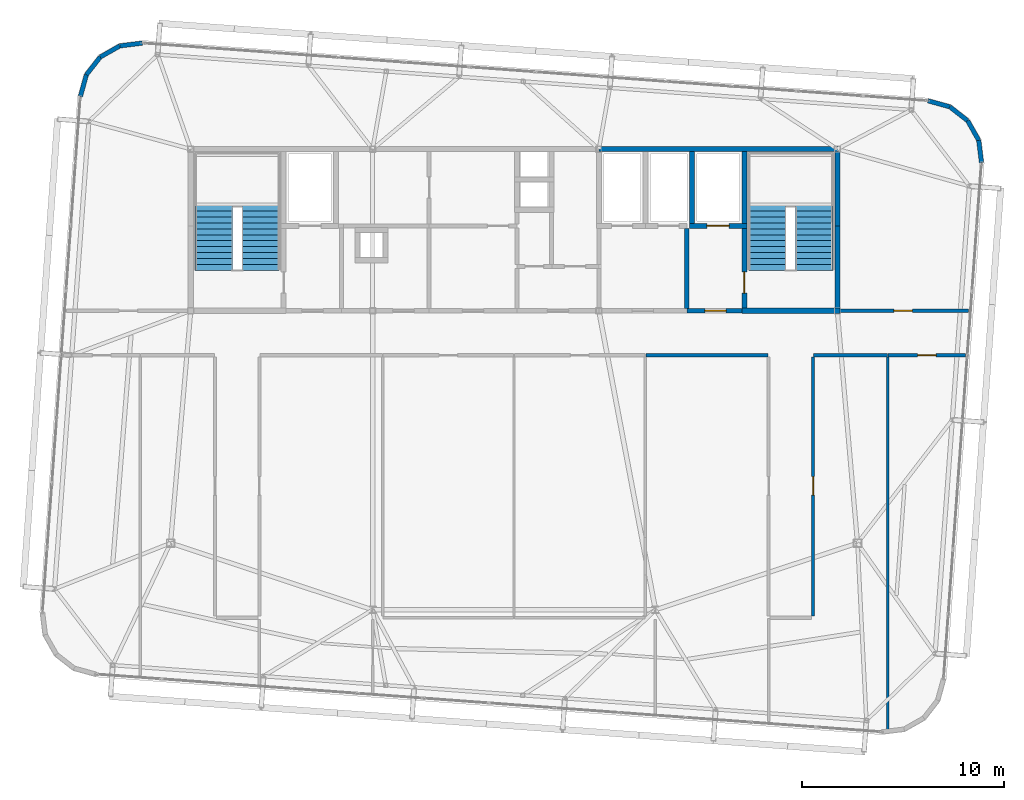
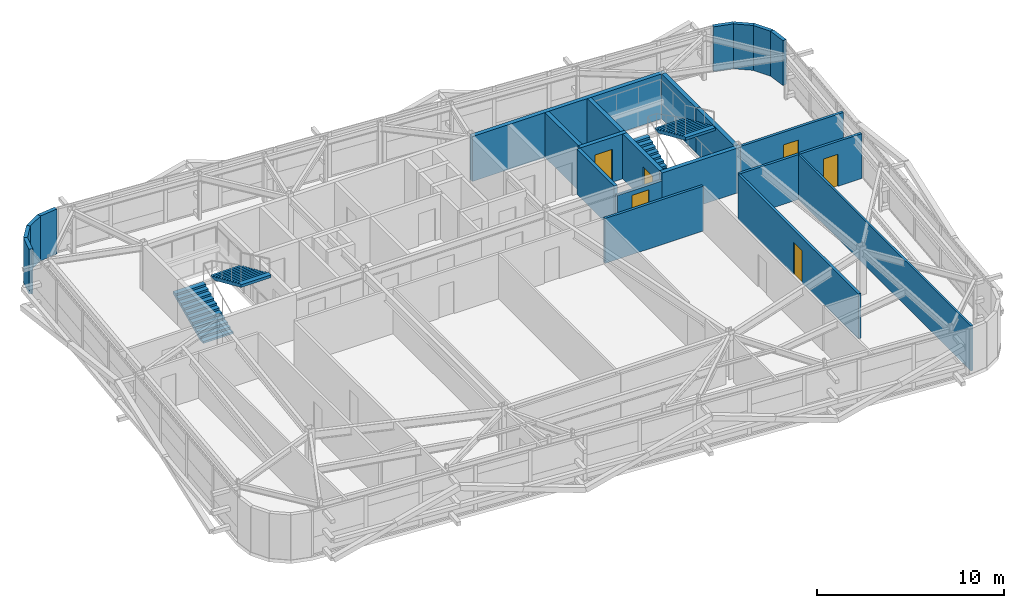
# One storey, part 40 of 42: 24 walls, 6 doors, 4 stair flights, 6 openings, 2 elements without a shape of their own.
"""IFC4 building model written with IfcOpenShell, lengths in metres."""

from ifc_helpers import new_model, si_unit, direction, frame, frame_2d, origin, place, context, subcontext, project, spatial, polyline, rectangle, outline, extrude, source, transform, mapped, material, layer, layer_set, type_object, element, fill, aggregate, save


model = new_model("IFC4")

# Units and contexts
model_context = context("Model", 3, precision=1e-05, world=origin(), true_north=direction((0.0, 1.0)))
body_context = subcontext(model_context, "Body", "Model", "MODEL_VIEW")
ifc_project = project(units=[si_unit("LENGTHUNIT", "METRE"), si_unit("AREAUNIT", "SQUARE_METRE"), si_unit("VOLUMEUNIT", "CUBIC_METRE"), si_unit("PLANEANGLEUNIT", "RADIAN"), si_unit("MASSUNIT", "GRAM", prefix="KILO")], contexts=[model_context])

# Site, building, storey
site_placement = place(None, origin())
site = spatial("IfcSite", under=ifc_project, at=site_placement, CompositionType="ELEMENT")
building_placement = place(site_placement, origin())
building = spatial("IfcBuilding", under=site, at=building_placement, Name="Taldren Reach Tower", CompositionType="ELEMENT")
storey_placement = place(building_placement, frame((0.0, 0.0, 217.699951171875)))
storey = spatial("IfcBuildingStorey", under=building, at=storey_placement, Name="L66", CompositionType="ELEMENT", Elevation=217.699951171875)

# Walls
ifc_material_1 = material(Name="Pale Champagne Anodised Aluminium Cladding", Category="aluminium")
ifc_layer_1 = layer(ifc_material_1, 0.04, Name="Pale Champagne Anodised Aluminium Cladding", Category="aluminium")
ifc_material_2 = material(Name="Mineral Wool Acoustic Insulation", Category="insulation")
ifc_layer_2 = layer(ifc_material_2, 0.06, Name="Mineral Wool Acoustic Insulation", Category="insulation")
ifc_material_3 = material(Name="Steel Gr 350 (C350L0)", Category="steel")
ifc_layer_3 = layer(ifc_material_3, 0.12, Name="Steel Gr 350 (C350L0)", Category="steel")
ifc_layer_set_1 = layer_set([ifc_layer_1, ifc_layer_2, ifc_layer_3], Name="Pale Champagne Aluminium Cladding and Steel Gr 350 Stud Framing")
wall_type_1 = type_object("IfcWallType", Name="EW-CRN-220", PredefinedType="SOLIDWALL", material=ifc_layer_set_1)
shared_shape_1 = source(origin(), body_context, "Body", "SweptSolid", [
    extrude(rectangle(XDim=1.115966796875, YDim=0.219970703125, at=frame_2d((0.55810546875, 0.0))), origin(), (0.0, 0.0, 1.0), 2.929931640625),
])
for number, where, z_axis, x_axis, name in (
    (1, (58.137451171875, 31.328125, 0.0), (0.0, 0.0, 1.0), (-0.122742076028, 0.992438604032, 0.0), "Rounded-corner pale-metal facade wall L66-NE1"),
    (2, (57.4501953125, 33.40625, 0.0), (0.0, 0.0, 1.0), (-0.788597772321, 0.614909386406, 0.0), "Rounded-corner pale-metal facade wall L66-NE3"),
    (3, (14.52099609375, 36.558837890625, 0.0), (0.0, 0.0, 1.0), (-0.614909386406, -0.788597772321, 0.0), "Rounded-corner pale-metal facade wall L66-NW3"),
):
    element("IfcWall", number, at=place(storey_placement, frame(where, z_axis=z_axis, x_axis=x_axis)), inside=storey, type_object=wall_type_1, Name=name, PredefinedType="SOLIDWALL", context=body_context, shape_type="MappedRepresentation", body=[
        mapped(shared_shape_1, transform((0.0, 0.0, 0.0), scale=1.0)),
    ])
shared_shape_2 = source(origin(), body_context, "Body", "SweptSolid", [
    extrude(rectangle(XDim=1.11572265625, YDim=0.219970703125, at=frame_2d((0.557861328125, 0.0))), origin(), (0.0, 0.0, 1.0), 2.929931640625),
])
for number, where, z_axis, x_axis, name in (
    (4, (58.00048828125, 32.435546875, 0.0), (0.0, 0.0, 1.0), (-0.493167138628, 0.869934579941, 0.0), "Rounded-corner pale-metal facade wall L66-NE2"),
    (5, (56.570068359375, 34.092529296875, 0.0), (0.0, 0.0, 1.0), (-0.963833843713, 0.266503886865, 0.0), "Rounded-corner pale-metal facade wall L66-NE4"),
    (6, (15.49169921875, 37.109130859375, 0.0), (0.0, 0.0, 1.0), (-0.869934579941, -0.493167138628, 0.0), "Rounded-corner pale-metal facade wall L66-NW2"),
    (7, (13.834716796875, 35.6787109375, 0.0), (0.0, 0.0, 1.0), (-0.266300605026, -0.963890028874, 0.0), "Rounded-corner pale-metal facade wall L66-NW4"),
):
    element("IfcWall", number, at=place(storey_placement, frame(where, z_axis=z_axis, x_axis=x_axis)), inside=storey, type_object=wall_type_1, Name=name, PredefinedType="SOLIDWALL", context=body_context, shape_type="MappedRepresentation", body=[
        mapped(shared_shape_2, transform((0.0, 0.0, 0.0), scale=1.0)),
    ])
shared_shape_3 = source(origin(), body_context, "Body", "SweptSolid", [
    extrude(rectangle(XDim=1.1162109375, YDim=0.219970703125, at=frame_2d((0.55810546875, 0.0))), origin(), (0.0, 0.0, 1.0), 2.929931640625),
])
wall_1_placement = place(storey_placement, frame((16.599365234375, 37.24609375, 0.0), z_axis=(0.0, 0.0, 1.0), x_axis=(-0.992441899189, -0.122715429897, 0.0)))
element("IfcWall", 8, at=wall_1_placement, inside=storey, type_object=wall_type_1, Name="Rounded-corner pale-metal facade wall L66-NW1", PredefinedType="SOLIDWALL", context=body_context, shape_type="MappedRepresentation", body=[
    mapped(shared_shape_3, transform((0.0, 0.0, 0.0), scale=1.0)),
])
ifc_material_4 = material(Name="Fire-Rated Acoustic Plasterboard Stud Wall", Category="gypsum")
ifc_layer_4 = layer(ifc_material_4, 0.159912109375)
ifc_layer_set_2 = layer_set([ifc_layer_4], Name="Fire-Rated Acoustic Plasterboard Stud Wall")
wall_type_2 = type_object("IfcWallType", Name="IW-FIRE-160", PredefinedType="PARTITIONING", material=ifc_layer_set_2)
shared_shape_4 = source(origin(), body_context, "Body", "SweptSolid", [
    extrude(rectangle(XDim=6.0595703125, YDim=0.159912109375, at=frame_2d((3.02978515625, 0.0))), origin(), (0.0, 0.0, 1.0), 2.929931640625),
])
wall_2_placement = place(storey_placement, frame((47.579833984375, 21.800048828125, 0.0), z_axis=(0.0, 0.0, 1.0), x_axis=(-1.0, 0.0, 0.0)))
element("IfcWall", 9, at=wall_2_placement, inside=storey, type_object=wall_type_2, Name="Interior Partition Wall W-INT-L66-056", PredefinedType="PARTITIONING", context=body_context, shape_type="MappedRepresentation", body=[
    mapped(shared_shape_4, transform((0.0, 0.0, 0.0), scale=1.0)),
])
ifc_material_5 = material(Name="Concrete S65 (65 MPa)", Category="concrete")
ifc_layer_5 = layer(ifc_material_5, 0.25)
ifc_layer_set_3 = layer_set([ifc_layer_5], Name="Concrete S65 (65 MPa)")
wall_type_3 = type_object("IfcWallType", Name="IW-CORE-250", PredefinedType="SHEAR", material=ifc_layer_set_3)
shared_shape_5 = source(origin(), body_context, "Body", "SweptSolid", [
    extrude(rectangle(XDim=11.925048828125, YDim=0.25, at=frame_2d((5.96240234375, 0.0))), origin(), (0.0, 0.0, 1.0), 2.929931640625),
])
wall_3_placement = place(storey_placement, frame((39.199951171875, 32.0, 0.0), z_axis=(0.0, 0.0, 1.0), x_axis=(1.0, 0.0, 0.0)))
element("IfcWall", 10, at=wall_3_placement, inside=storey, type_object=wall_type_3, Name="Rear Core Shear Wall W-CORE-L66-NORTH3", PredefinedType="SHEAR", context=body_context, shape_type="MappedRepresentation", body=[
    mapped(shared_shape_5, transform((0.0, 0.0, 0.0), scale=1.0)),
])
shared_shape_6 = source(origin(), body_context, "Body", "SweptSolid", [
    extrude(rectangle(XDim=4.074951171875, YDim=0.25, at=frame_2d((2.03759765625, 0.0))), origin(), (0.0, 0.0, 1.0), 2.929931640625),
])
wall_4_placement = place(storey_placement, frame((51.0, 24.125, 0.0), z_axis=(0.0, 0.0, 1.0), x_axis=(0.0, 1.0, 0.0)))
element("IfcWall", 11, at=wall_4_placement, inside=storey, type_object=wall_type_3, Name="Rear Core Shear Wall W-CORE-L66-EAST1", PredefinedType="SHEAR", context=body_context, shape_type="MappedRepresentation", body=[
    mapped(shared_shape_6, transform((0.0, 0.0, 0.0), scale=1.0)),
])
shared_shape_7 = source(origin(), body_context, "Body", "SweptSolid", [
    extrude(rectangle(XDim=3.675048828125, YDim=0.25, at=frame_2d((1.83740234375, 0.0))), origin(), (0.0, 0.0, 1.0), 2.929931640625),
])
wall_5_placement = place(storey_placement, frame((51.0, 28.199951171875, 0.0), z_axis=(0.0, 0.0, 1.0), x_axis=(0.0, 1.0, 0.0)))
element("IfcWall", 12, at=wall_5_placement, inside=storey, type_object=wall_type_3, Name="Rear Core Shear Wall W-CORE-L66-EAST2", PredefinedType="SHEAR", context=body_context, shape_type="MappedRepresentation", body=[
    mapped(shared_shape_7, transform((0.0, 0.0, 0.0), scale=1.0)),
])
shared_shape_8 = source(origin(), body_context, "Body", "SweptSolid", [
    extrude(rectangle(XDim=3.550048828125, YDim=0.25, at=frame_2d((1.77490234375, 0.0))), origin(), (0.0, 0.0, 1.0), 2.929931640625),
])
for number, where, z_axis, x_axis, name in (
    (13, (46.39990234375, 31.875, 0.0), (0.0, 0.0, 1.0), (0.0, -1.0, 0.0), "Rear Core Shear Wall W-INT-L66-008"),
    (14, (43.800048828125, 31.875, 0.0), (0.0, 0.0, 1.0), (0.0, -1.0, 0.0), "Rear Core Shear Wall W-INT-L66-012"),
):
    element("IfcWall", number, at=place(storey_placement, frame(where, z_axis=z_axis, x_axis=x_axis)), inside=storey, type_object=wall_type_3, Name=name, PredefinedType="SHEAR", context=body_context, shape_type="MappedRepresentation", body=[
        mapped(shared_shape_8, transform((0.0, 0.0, 0.0), scale=1.0)),
    ])

# Wall, opening, door
shared_shape_9 = source(origin(), body_context, "Body", "SweptSolid", [
    extrude(rectangle(XDim=3.949951171875, YDim=0.25, at=frame_2d((1.97509765625, 0.0))), origin(), (0.0, 0.0, 1.0), 2.929931640625),
])
wall_6_placement = place(storey_placement, frame((46.39990234375, 28.074951171875, 0.0), z_axis=(0.0, 0.0, 1.0), x_axis=(0.0, -1.0, 0.0)))
wall_6 = element("IfcWall", 15, at=wall_6_placement, inside=storey, type_object=wall_type_3, Name="Rear Core Shear Wall W-INT-L66-009", PredefinedType="SHEAR", context=body_context, shape_type="MappedRepresentation", body=[
    mapped(shared_shape_9, transform((0.0, 0.0, 0.0), scale=1.0)),
])
shared_shape_10 = source(origin(), body_context, "Body", "SweptSolid", [
    extrude(rectangle(XDim=1.050048828125, YDim=2.10009765625, at=frame_2d((0.52490234375, 1.050048828125))), frame((0.0, 0.135009765625, 0.0), z_axis=(0.0, -1.0, 0.0), x_axis=(1.0, 0.0, 0.0)), (0.0, 0.0, 1.0), 0.27001953125),
])
opening_1_placement = place(wall_6_placement, frame((2.14990234375, 0.0, 0.0)))
opening_1 = element("IfcOpeningElement", 16, at=opening_1_placement, cuts=wall_6, Name="Opening DF-105", PredefinedType="OPENING", context=body_context, shape_type="MappedRepresentation", body=[
    mapped(shared_shape_10, transform((0.0, 0.0, 0.0), scale=1.0)),
])
ifc_material_6 = material(Name="Fire-Rated Care and Stair Exit Door")
door_type_1 = type_object("IfcDoorType", Name="ID-FIRE-105", OperationType="NOTDEFINED", PredefinedType="DOOR", material=ifc_material_6)
shared_shape_11 = source(origin(), body_context, "Body", "SweptSolid", [
    extrude(rectangle(XDim=1.050048828125, YDim=2.10009765625, at=frame_2d((0.52490234375, 1.050048828125))), frame((0.0, 0.02490234375, 0.0), z_axis=(0.0, -1.0, 0.0), x_axis=(1.0, 0.0, 0.0)), (0.0, 0.0, 1.0), 0.050048828125),
])
door_1_placement = place(opening_1_placement, origin())
door_1 = element("IfcDoor", 17, at=door_1_placement, inside=storey, type_object=door_type_1, Name="Fire Exit Stair Door DR-L66-003", OperationType="SINGLE_SWING_RIGHT", OverallHeight=2.10009765625, OverallWidth=1.050048828125, PredefinedType="DOOR", context=body_context, shape_type="MappedRepresentation", body=[
    mapped(shared_shape_11, transform((0.0, 0.0, 0.0), scale=1.0)),
])
fill(opening_1, door_1)

# Wall
shared_shape_12 = source(origin(), body_context, "Body", "SweptSolid", [
    extrude(rectangle(XDim=4.85009765625, YDim=0.25, at=frame_2d((2.425048828125, 0.0))), origin(), (0.0, 0.0, 1.0), 2.929931640625),
])
wall_7_placement = place(storey_placement, frame((46.27490234375, 24.0, 0.0), z_axis=(0.0, 0.0, 1.0), x_axis=(1.0, 0.0, 0.0)))
element("IfcWall", 18, at=wall_7_placement, inside=storey, type_object=wall_type_3, Name="Rear Core Shear Wall W-INT-L66-010", PredefinedType="SHEAR", context=body_context, shape_type="MappedRepresentation", body=[
    mapped(shared_shape_12, transform((0.0, 0.0, 0.0), scale=1.0)),
])

# Wall, opening, door
shared_shape_13 = source(origin(), body_context, "Body", "SweptSolid", [
    extrude(rectangle(XDim=2.849853515625, YDim=0.25, at=frame_2d((1.4248046875, 0.0))), origin(), (0.0, 0.0, 1.0), 2.929931640625),
])
wall_8_placement = place(storey_placement, frame((43.675048828125, 28.199951171875, 0.0), z_axis=(0.0, 0.0, 1.0), x_axis=(1.0, 0.0, 0.0)))
wall_8 = element("IfcWall", 19, at=wall_8_placement, inside=storey, type_object=wall_type_3, Name="Rear Core Shear Wall W-INT-L66-011", PredefinedType="SHEAR", context=body_context, shape_type="MappedRepresentation", body=[
    mapped(shared_shape_13, transform((0.0, 0.0, 0.0), scale=1.0)),
])
shared_shape_14 = source(origin(), body_context, "Body", "SweptSolid", [
    extrude(rectangle(XDim=1.10009765625, YDim=2.14990234375, at=frame_2d((0.550048828125, 1.074951171875))), frame((0.0, 0.135009765625, 0.0), z_axis=(0.0, -1.0, 0.0), x_axis=(1.0, 0.0, 0.0)), (0.0, 0.0, 1.0), 0.27001953125),
])
opening_2_placement = place(wall_8_placement, frame((0.875, 0.0, 0.0)))
opening_2 = element("IfcOpeningElement", 20, at=opening_2_placement, cuts=wall_8, Name="Opening LD-FL2", PredefinedType="OPENING", context=body_context, shape_type="MappedRepresentation", body=[
    mapped(shared_shape_14, transform((0.0, 0.0, 0.0), scale=1.0)),
])
ifc_material_7 = material(Name="Stainless Steel Gr 316 Emergency Lift Landing Door", Category="steel")
door_type_2 = type_object("IfcDoorType", Name="LD-EMG-110", OperationType="SLIDING_TO_LEFT", PredefinedType="DOOR", material=ifc_material_7)
shared_shape_15 = source(origin(), body_context, "Body", "SweptSolid", [
    extrude(rectangle(XDim=1.10009765625, YDim=2.14990234375, at=frame_2d((0.550048828125, 1.074951171875))), frame((0.0, 0.02490234375, 0.0), z_axis=(0.0, -1.0, 0.0), x_axis=(1.0, 0.0, 0.0)), (0.0, 0.0, 1.0), 0.050048828125),
])
door_2_placement = place(opening_2_placement, origin())
door_2 = element("IfcDoor", 21, at=door_2_placement, inside=storey, type_object=door_type_2, Name="Lift Landing Door LD-FL2-L66", OperationType="SLIDING_TO_LEFT", OverallHeight=2.14990234375, OverallWidth=1.10009765625, PredefinedType="DOOR", context=body_context, shape_type="MappedRepresentation", body=[
    mapped(shared_shape_15, transform((0.0, 0.0, 0.0), scale=1.0)),
])
fill(opening_2, door_2)

# Wall
ifc_material_8 = material(Name="Concrete S50 (50 MPa)", Category="concrete")
ifc_layer_6 = layer(ifc_material_8, 0.199951171875)
ifc_layer_set_4 = layer_set([ifc_layer_6], Name="Concrete S50 (50 MPa)")
wall_type_4 = type_object("IfcWallType", Name="IW-CORE-200", PredefinedType="SOLIDWALL", material=ifc_layer_set_4)
shared_shape_16 = source(origin(), body_context, "Body", "SweptSolid", [
    extrude(rectangle(XDim=3.974853515625, YDim=0.199951171875, at=frame_2d((1.9873046875, 0.0))), origin(), (0.0, 0.0, 1.0), 2.929931640625),
])
wall_9_placement = place(storey_placement, frame((43.550048828125, 28.074951171875, 0.0), z_axis=(0.0, 0.0, 1.0), x_axis=(0.0, -1.0, 0.0)))
element("IfcWall", 22, at=wall_9_placement, inside=storey, type_object=wall_type_4, Name="Rear Core Shear Wall W-INT-L66-013", PredefinedType="SOLIDWALL", context=body_context, shape_type="MappedRepresentation", body=[
    mapped(shared_shape_16, transform((0.0, 0.0, 0.0), scale=1.0)),
])

# Wall, opening, door
shared_shape_17 = source(origin(), body_context, "Body", "SweptSolid", [
    extrude(rectangle(XDim=2.724853515625, YDim=0.199951171875, at=frame_2d((1.3623046875, 0.0))), origin(), (0.0, 0.0, 1.0), 2.39697265625),
])
wall_10_placement = place(storey_placement, frame((43.550048828125, 24.0, 0.0), z_axis=(0.0, 0.0, 1.0), x_axis=(1.0, 0.0, 0.0)))
wall_10 = element("IfcWall", 23, at=wall_10_placement, inside=storey, type_object=wall_type_4, Name="Rear Core Shear Wall W-INT-L66-014", PredefinedType="SOLIDWALL", context=body_context, shape_type="MappedRepresentation", body=[
    mapped(shared_shape_17, transform((0.0, 0.0, 0.0), scale=1.0)),
])
shared_shape_18 = source(origin(), body_context, "Body", "SweptSolid", [
    extrude(rectangle(XDim=1.050048828125, YDim=2.10009765625, at=frame_2d((0.52490234375, 1.050048828125))), frame((0.0, 0.10986328125, 0.0), z_axis=(0.0, -1.0, 0.0), x_axis=(1.0, 0.0, 0.0)), (0.0, 0.0, 1.0), 0.219970703125),
])
opening_3_placement = place(wall_10_placement, frame((0.89990234375, 0.0, 0.0)))
opening_3 = element("IfcOpeningElement", 24, at=opening_3_placement, cuts=wall_10, Name="Opening DF-105", PredefinedType="OPENING", context=body_context, shape_type="MappedRepresentation", body=[
    mapped(shared_shape_18, transform((0.0, 0.0, 0.0), scale=1.0)),
])
door_3_placement = place(opening_3_placement, origin())
door_3 = element("IfcDoor", 25, at=door_3_placement, inside=storey, type_object=door_type_1, Name="Interior Door DR-L66-004", OperationType="SINGLE_SWING_LEFT", OverallHeight=2.10009765625, OverallWidth=1.050048828125, PredefinedType="DOOR", context=body_context, shape_type="MappedRepresentation", body=[
    mapped(shared_shape_11, transform((0.0, 0.0, 0.0), scale=1.0)),
])
fill(opening_3, door_3)

shared_shape_19 = source(origin(), body_context, "Body", "SweptSolid", [
    extrude(rectangle(XDim=12.840087890625, YDim=0.159912109375, at=frame_2d((6.419921875, 0.0))), origin(), (0.0, 0.0, 1.0), 2.929931640625),
])
wall_11_placement = place(storey_placement, frame((49.800048828125, 21.719970703125, 0.0), z_axis=(0.0, 0.0, 1.0), x_axis=(0.0, -1.0, 0.0)))
wall_11 = element("IfcWall", 26, at=wall_11_placement, inside=storey, type_object=wall_type_2, Name="Interior Partition Wall W-INT-L66-057", PredefinedType="PARTITIONING", context=body_context, shape_type="MappedRepresentation", body=[
    mapped(shared_shape_19, transform((0.0, 0.0, 0.0), scale=1.0)),
])
shared_shape_20 = source(origin(), body_context, "Body", "SweptSolid", [
    extrude(rectangle(XDim=0.919921875, YDim=2.10009765625, at=frame_2d((0.4599609375, 1.050048828125))), frame((0.0, 0.08984375, 0.0), z_axis=(0.0, -1.0, 0.0), x_axis=(1.0, 0.0, 0.0)), (0.0, 0.0, 1.0), 0.179931640625),
])
opening_4_placement = place(wall_11_placement, frame((5.93017578125, 0.0, 0.0)))
opening_4 = element("IfcOpeningElement", 27, at=opening_4_placement, cuts=wall_11, Name="Opening DI-092", PredefinedType="OPENING", context=body_context, shape_type="MappedRepresentation", body=[
    mapped(shared_shape_20, transform((0.0, 0.0, 0.0), scale=1.0)),
])
ifc_material_9 = material(Name="Solid-Core Timber Suite Door", Category="wood")
door_type_3 = type_object("IfcDoorType", Name="ID-INT-092", OperationType="NOTDEFINED", PredefinedType="DOOR", material=ifc_material_9)
shared_shape_21 = source(origin(), body_context, "Body", "SweptSolid", [
    extrude(rectangle(XDim=0.919921875, YDim=2.10009765625, at=frame_2d((0.4599609375, 1.050048828125))), frame((0.0, 0.02490234375, 0.0), z_axis=(0.0, -1.0, 0.0), x_axis=(1.0, 0.0, 0.0)), (0.0, 0.0, 1.0), 0.050048828125),
])
door_4_placement = place(opening_4_placement, origin())
door_4 = element("IfcDoor", 28, at=door_4_placement, inside=storey, type_object=door_type_3, Name="Interior Door DR-L66-021", OperationType="SINGLE_SWING_RIGHT", OverallHeight=2.10009765625, OverallWidth=0.919921875, PredefinedType="DOOR", context=body_context, shape_type="MappedRepresentation", body=[
    mapped(shared_shape_21, transform((0.0, 0.0, 0.0), scale=1.0)),
])
fill(opening_4, door_4)

# Wall
shared_shape_22 = source(origin(), body_context, "Body", "SweptSolid", [
    extrude(rectangle(XDim=3.659423828125, YDim=0.159912109375, at=frame_2d((1.82958984375, 0.0))), origin(), (0.0, 0.0, 1.0), 2.929931640625),
])
wall_12_placement = place(storey_placement, frame((53.479736328125, 21.800048828125, 0.0), z_axis=(0.0, 0.0, 1.0), x_axis=(-1.0, 0.0, 0.0)))
element("IfcWall", 29, at=wall_12_placement, inside=storey, type_object=wall_type_2, Name="Interior Partition Wall W-INT-L66-058", PredefinedType="PARTITIONING", context=body_context, shape_type="MappedRepresentation", body=[
    mapped(shared_shape_22, transform((0.0, 0.0, 0.0), scale=1.0)),
])

# Wall, opening, door
shared_shape_23 = source(origin(), body_context, "Body", "SweptSolid", [
    extrude(rectangle(XDim=6.378173828125, YDim=0.159912109375, at=frame_2d((3.18896484375, 0.0))), origin(), (0.0, 0.0, 1.0), 2.929931640625),
])
wall_13_placement = place(storey_placement, frame((51.125, 24.0, 0.0), z_axis=(0.0, 0.0, 1.0), x_axis=(1.0, 0.0, 0.0)))
wall_13 = element("IfcWall", 30, at=wall_13_placement, inside=storey, type_object=wall_type_2, Name="Interior Partition Wall W-INT-L66-053", PredefinedType="PARTITIONING", context=body_context, shape_type="MappedRepresentation", body=[
    mapped(shared_shape_23, transform((0.0, 0.0, 0.0), scale=1.0)),
])
opening_5_placement = place(wall_13_placement, frame((2.6767578125, 0.0, 0.0)))
opening_5 = element("IfcOpeningElement", 31, at=opening_5_placement, cuts=wall_13, Name="Opening DI-092", PredefinedType="OPENING", context=body_context, shape_type="MappedRepresentation", body=[
    mapped(shared_shape_20, transform((0.0, 0.0, 0.0), scale=1.0)),
])
door_5_placement = place(opening_5_placement, origin())
door_5 = element("IfcDoor", 32, at=door_5_placement, inside=storey, type_object=door_type_3, Name="Interior Door DR-L66-018", OperationType="SINGLE_SWING_LEFT", OverallHeight=2.10009765625, OverallWidth=0.919921875, PredefinedType="DOOR", context=body_context, shape_type="MappedRepresentation", body=[
    mapped(shared_shape_21, transform((0.0, 0.0, 0.0), scale=1.0)),
])
fill(opening_5, door_5)

shared_shape_24 = source(origin(), body_context, "Body", "SweptSolid", [
    extrude(rectangle(XDim=3.8330078125, YDim=0.159912109375, at=frame_2d((1.91650390625, 0.0))), origin(), (0.0, 0.0, 1.0), 2.929931640625),
])
wall_14_placement = place(storey_placement, frame((57.353271484375, 21.800048828125, 0.0), z_axis=(0.0, 0.0, 1.0), x_axis=(-1.0, 0.0, 0.0)))
wall_14 = element("IfcWall", 33, at=wall_14_placement, inside=storey, type_object=wall_type_2, Name="Interior Partition Wall W-INT-L66-060", PredefinedType="PARTITIONING", context=body_context, shape_type="MappedRepresentation", body=[
    mapped(shared_shape_24, transform((0.0, 0.0, 0.0), scale=1.0)),
])
opening_6_placement = place(wall_14_placement, frame((1.45654296875, 0.0, 0.0)))
opening_6 = element("IfcOpeningElement", 34, at=opening_6_placement, cuts=wall_14, Name="Opening DI-092", PredefinedType="OPENING", context=body_context, shape_type="MappedRepresentation", body=[
    mapped(shared_shape_20, transform((0.0, 0.0, 0.0), scale=1.0)),
])
door_6_placement = place(opening_6_placement, origin())
door_6 = element("IfcDoor", 35, at=door_6_placement, inside=storey, type_object=door_type_3, Name="Interior Door DR-L66-022", OperationType="SINGLE_SWING_LEFT", OverallHeight=2.10009765625, OverallWidth=0.919921875, PredefinedType="DOOR", context=body_context, shape_type="MappedRepresentation", body=[
    mapped(shared_shape_21, transform((0.0, 0.0, 0.0), scale=1.0)),
])
fill(opening_6, door_6)

# Wall
ifc_material_10 = material(Name="Insulated Residential Stud Partition", Category="gypsum")
ifc_layer_7 = layer(ifc_material_10, 0.1201171875)
ifc_layer_set_5 = layer_set([ifc_layer_7], Name="Insulated Residential Stud Partition")
wall_type_5 = type_object("IfcWallType", Name="IW-PART-120", PredefinedType="PARTITIONING", material=ifc_layer_set_5)
shared_shape_25 = source(origin(), body_context, "Body", "SweptSolid", [
    extrude(rectangle(XDim=18.445556640625, YDim=0.1201171875, at=frame_2d((9.22265625, 0.0))), origin(), (0.0, 0.0, 1.0), 2.929931640625),
])
wall_15_placement = place(storey_placement, frame((53.5, 21.719970703125, 0.0), z_axis=(0.0, 0.0, 1.0), x_axis=(0.0, -1.0, 0.0)))
element("IfcWall", 36, at=wall_15_placement, inside=storey, type_object=wall_type_5, Name="Interior Partition Wall W-INT-L66-071", PredefinedType="PARTITIONING", context=body_context, shape_type="MappedRepresentation", body=[
    mapped(shared_shape_25, transform((0.0, 0.0, 0.0), scale=1.0)),
])

# Stair, stair flights
stair_type = type_object("IfcStairType", Name="ST-HT-315", PredefinedType="HALF_TURN_STAIR", material=ifc_material_8)
stair_1_placement = place(storey_placement, origin())
stair_1 = element("IfcStair", 37, at=stair_1_placement, inside=storey, type_object=stair_type, Name="Fire-isolated exit stair ST1 L66", PredefinedType="HALF_TURN_STAIR")
stair_flight_type = type_object("IfcStairFlightType", Name="SF-STR-315", PredefinedType="STRAIGHT", material=ifc_material_8)
stair_flight_1_placement = place(storey_placement, frame((20.139892578125, 25.989990234375, 0.0), z_axis=(0.0, 0.0, 1.0), x_axis=(0.0, 1.0, 0.0)))
stair_flight_1 = element("IfcStairFlight", 38, at=stair_flight_1_placement, type_object=stair_flight_type, Name="ST1 flight 1", NumberOfRisers=12, NumberOfTreads=11, PredefinedType="STRAIGHT", RiserHeight=0.13125, TreadLength=0.295, context=body_context, shape_type="SweptSolid", body=[
    extrude(outline(polyline([(0.0, 0.0), (0.0, 0.13134765625), (0.294921875, 0.13134765625), (0.294921875, 0.262451171875), (0.590087890625, 0.262451171875), (0.590087890625, 0.393798828125), (0.885009765625, 0.393798828125), (0.885009765625, 0.52490234375), (1.179931640625, 0.52490234375), (1.179931640625, 0.65625), (1.47509765625, 0.65625), (1.47509765625, 0.78759765625), (1.77001953125, 0.78759765625), (1.77001953125, 0.918701171875), (2.06494140625, 0.918701171875), (2.06494140625, 1.050048828125), (2.360107421875, 1.050048828125), (2.360107421875, 1.18115234375), (2.655029296875, 1.18115234375), (2.655029296875, 1.3125), (2.949951171875, 1.3125), (2.949951171875, 1.44384765625), (3.2451171875, 1.44384765625), (3.2451171875, 1.574951171875), (3.2451171875, 1.268798828125), (0.393310546875, 0.0), (0.0, 0.0)])), frame((0.0, 0.919921875, 0.0), z_axis=(0.0, -1.0, 0.0), x_axis=(1.0, 0.0, 0.0)), (0.0, 0.0, 1.0), 1.840087890625),
])
stair_flight_2_placement = place(storey_placement, frame((22.4599609375, 29.235107421875, 1.574951171875), z_axis=(0.0, 0.0, 1.0), x_axis=(0.0, -1.0, 0.0)))
stair_flight_2 = element("IfcStairFlight", 39, at=stair_flight_2_placement, type_object=stair_flight_type, Name="ST1 flight 2", NumberOfRisers=12, NumberOfTreads=11, PredefinedType="STRAIGHT", RiserHeight=0.13125, TreadLength=0.295, context=body_context, shape_type="SweptSolid", body=[
    extrude(outline(polyline([(0.0, 0.0), (0.0, 0.13134765625), (0.294921875, 0.13134765625), (0.294921875, 0.262451171875), (0.590087890625, 0.262451171875), (0.590087890625, 0.393798828125), (0.885009765625, 0.393798828125), (0.885009765625, 0.52490234375), (1.179931640625, 0.52490234375), (1.179931640625, 0.65625), (1.47509765625, 0.65625), (1.47509765625, 0.78759765625), (1.77001953125, 0.78759765625), (1.77001953125, 0.918701171875), (2.06494140625, 0.918701171875), (2.06494140625, 1.050048828125), (2.360107421875, 1.050048828125), (2.360107421875, 1.18115234375), (2.655029296875, 1.18115234375), (2.655029296875, 1.3125), (2.949951171875, 1.3125), (2.949951171875, 1.44384765625), (3.2451171875, 1.44384765625), (3.2451171875, 1.574951171875), (3.2451171875, 1.268798828125), (0.393310546875, 0.0), (0.0, 0.0)])), frame((0.0, 0.919921875, 0.0), z_axis=(0.0, -1.0, 0.0), x_axis=(1.0, 0.0, 0.0)), (0.0, 0.0, 1.0), 1.840087890625),
])
aggregate(stair_1, [stair_flight_1, stair_flight_2])

stair_2_placement = place(storey_placement, origin())
stair_2 = element("IfcStair", 40, at=stair_2_placement, inside=storey, type_object=stair_type, Name="Fire-isolated exit stair ST2 L66", PredefinedType="HALF_TURN_STAIR")
stair_flight_3_placement = place(storey_placement, frame((47.5400390625, 25.989990234375, 0.0), z_axis=(0.0, 0.0, 1.0), x_axis=(0.0, 1.0, 0.0)))
stair_flight_3 = element("IfcStairFlight", 41, at=stair_flight_3_placement, type_object=stair_flight_type, Name="ST2 flight 1", NumberOfRisers=12, NumberOfTreads=11, PredefinedType="STRAIGHT", RiserHeight=0.13125, TreadLength=0.295, context=body_context, shape_type="SweptSolid", body=[
    extrude(outline(polyline([(0.0, 0.0), (0.0, 0.13134765625), (0.294921875, 0.13134765625), (0.294921875, 0.262451171875), (0.590087890625, 0.262451171875), (0.590087890625, 0.393798828125), (0.885009765625, 0.393798828125), (0.885009765625, 0.52490234375), (1.179931640625, 0.52490234375), (1.179931640625, 0.65625), (1.47509765625, 0.65625), (1.47509765625, 0.78759765625), (1.77001953125, 0.78759765625), (1.77001953125, 0.918701171875), (2.06494140625, 0.918701171875), (2.06494140625, 1.050048828125), (2.360107421875, 1.050048828125), (2.360107421875, 1.18115234375), (2.655029296875, 1.18115234375), (2.655029296875, 1.3125), (2.949951171875, 1.3125), (2.949951171875, 1.44384765625), (3.2451171875, 1.44384765625), (3.2451171875, 1.574951171875), (3.2451171875, 1.268798828125), (0.393310546875, 0.0), (0.0, 0.0)])), frame((0.0, 0.919921875, 0.0), z_axis=(0.0, -1.0, 0.0), x_axis=(1.0, 0.0, 0.0)), (0.0, 0.0, 1.0), 1.840087890625),
])
stair_flight_4_placement = place(storey_placement, frame((49.860107421875, 29.235107421875, 1.574951171875), z_axis=(0.0, 0.0, 1.0), x_axis=(0.0, -1.0, 0.0)))
stair_flight_4 = element("IfcStairFlight", 42, at=stair_flight_4_placement, type_object=stair_flight_type, Name="ST2 flight 2", NumberOfRisers=12, NumberOfTreads=11, PredefinedType="STRAIGHT", RiserHeight=0.13125, TreadLength=0.295, context=body_context, shape_type="SweptSolid", body=[
    extrude(outline(polyline([(0.0, 0.0), (0.0, 0.13134765625), (0.294921875, 0.13134765625), (0.294921875, 0.262451171875), (0.590087890625, 0.262451171875), (0.590087890625, 0.393798828125), (0.885009765625, 0.393798828125), (0.885009765625, 0.52490234375), (1.179931640625, 0.52490234375), (1.179931640625, 0.65625), (1.47509765625, 0.65625), (1.47509765625, 0.78759765625), (1.77001953125, 0.78759765625), (1.77001953125, 0.918701171875), (2.06494140625, 0.918701171875), (2.06494140625, 1.050048828125), (2.360107421875, 1.050048828125), (2.360107421875, 1.18115234375), (2.655029296875, 1.18115234375), (2.655029296875, 1.3125), (2.949951171875, 1.3125), (2.949951171875, 1.44384765625), (3.2451171875, 1.44384765625), (3.2451171875, 1.574951171875), (3.2451171875, 1.268798828125), (0.393310546875, 0.0), (0.0, 0.0)])), frame((0.0, 0.919921875, 0.0), z_axis=(0.0, -1.0, 0.0), x_axis=(1.0, 0.0, 0.0)), (0.0, 0.0, 1.0), 1.840087890625),
])
aggregate(stair_2, [stair_flight_3, stair_flight_4])

save(model, "model.ifc")
